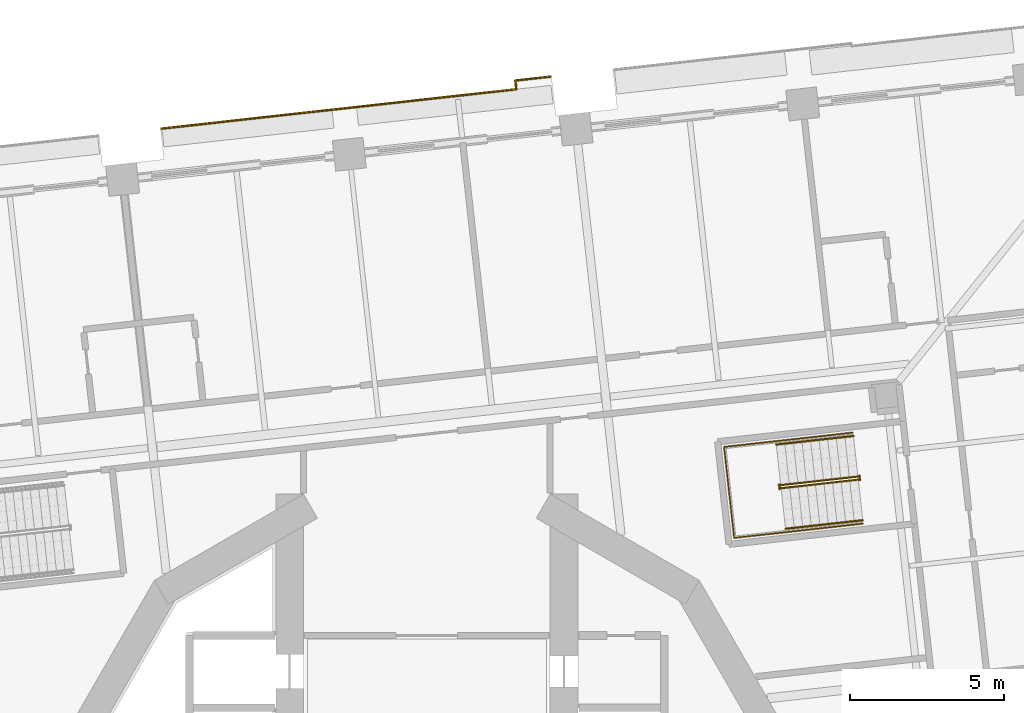
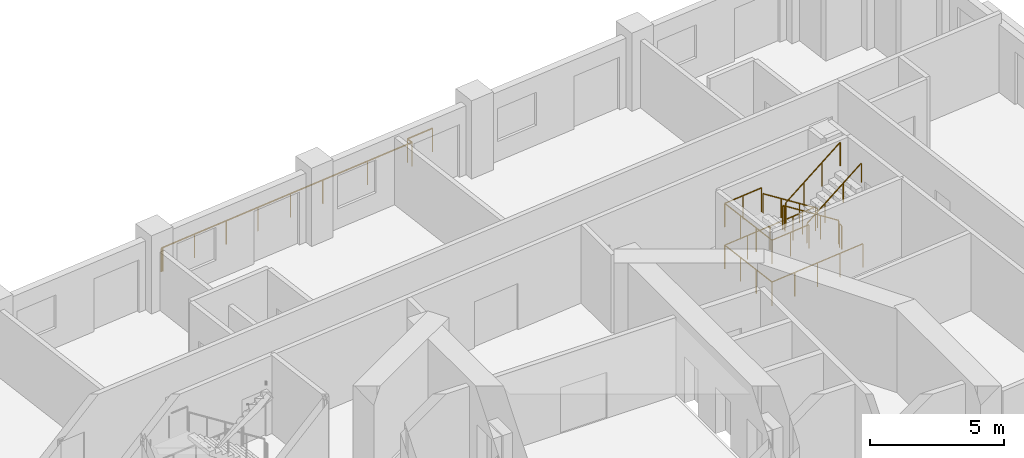
# One storey, part 19 of 21: 8 railings.
"""IFC4 building model written with IfcOpenShell, lengths in metres."""

from ifc_helpers import new_model, si_unit, direction, frame, origin, origin_2d, place, context, subcontext, project, spatial, circle, extrude, material, type_object, element, save


model = new_model("IFC4")

# Units and contexts
model_context = context("Model", 3, precision=1e-05, world=origin(), true_north=direction((0.0, 1.0)))
body_context = subcontext(model_context, "Body", "Model", "MODEL_VIEW")
ifc_project = project(units=[si_unit("LENGTHUNIT", "METRE"), si_unit("AREAUNIT", "SQUARE_METRE"), si_unit("VOLUMEUNIT", "CUBIC_METRE"), si_unit("PLANEANGLEUNIT", "RADIAN"), si_unit("MASSUNIT", "GRAM", prefix="KILO")], contexts=[model_context])

# Site, building, storey
site_placement = place(None, origin())
site = spatial("IfcSite", under=ifc_project, at=site_placement, CompositionType="ELEMENT")
building_placement = place(site_placement, origin())
building = spatial("IfcBuilding", under=site, at=building_placement, Name="Cantera Rosa Tower", CompositionType="ELEMENT")
storey_placement = place(building_placement, frame((0.0, 0.0, 69.10009765625)))
storey = spatial("IfcBuildingStorey", under=building, at=storey_placement, Name="L14", CompositionType="ELEMENT", Elevation=69.10009765625)

# Railings
ifc_material_1 = material(Name="Stainless steel and laminated glass", Category="steel")
railing_type_1 = type_object("IfcRailingType", Name="GUARD 1100", PredefinedType="BALUSTRADE", material=ifc_material_1)
railing_1_placement = place(storey_placement, frame((-8.6142578125, 23.4931640625, 0.0)))
element("IfcRailing", 1, at=railing_1_placement, inside=storey, type_object=railing_type_1, Name="GUARD L14-6", PredefinedType="BALUSTRADE", context=body_context, shape_type="SweptSolid", body=[
    extrude(circle(Radius=0.030029296875, at=origin_2d()), frame((0.0, 0.0, 1.070068359375), z_axis=(0.994136314057, 0.108134125389, 0.0), x_axis=(-0.108134125389, 0.994136314057, 0.0)), (0.0, 0.0, 1.0), 0.070068359375),
    extrude(circle(Radius=0.030029296875, at=origin_2d()), frame((0.069580078125, 0.007568359375, 1.070068359375), z_axis=(0.993891851654, 0.110358448777, 0.0), x_axis=(-0.110358448777, 0.993891851654, 0.0)), (0.0, 0.0, 1.0), 4.400146484375),
    extrude(circle(Radius=0.030029296875, at=origin_2d()), frame((4.44287109375, 0.4931640625, 1.070068359375), z_axis=(0.993901585709, 0.110270748271, 0.0), x_axis=(-0.110270748271, 0.993901585709, 0.0)), (0.0, 0.0, 1.0), 3.0),
    extrude(circle(Radius=0.030029296875, at=origin_2d()), frame((7.424560546875, 0.823974609375, 1.070068359375), z_axis=(0.993898197765, 0.110301280499, 0.0), x_axis=(-0.110301280499, 0.993898197765, 0.0)), (0.0, 0.0, 1.0), 4.11474609375),
    extrude(circle(Radius=0.030029296875, at=origin_2d()), frame((11.51416015625, 1.27783203125, 1.070068359375), z_axis=(-0.110431526075, 0.993883734674, 0.0), x_axis=(-0.993883734674, -0.110431526075, 0.0)), (0.0, 0.0, 1.0), 0.28515625),
    extrude(circle(Radius=0.030029296875, at=origin_2d()), frame((11.482666015625, 1.561279296875, 1.070068359375), z_axis=(0.993896614033, 0.110315550186, 0.0), x_axis=(-0.110315550186, 0.993896614033, 0.0)), (0.0, 0.0, 1.0), 1.1552734375),
    extrude(circle(Radius=0.02490234375, at=origin_2d()), origin(), (0.0, 0.0, 1.0), 1.0400390625),
    extrude(circle(Radius=0.02490234375, at=origin_2d()), frame((0.069580078125, 0.007568359375, 0.0)), (0.0, 0.0, 1.0), 1.0400390625),
    extrude(circle(Radius=0.02490234375, at=origin_2d()), frame((1.52734375, 0.16943359375, 0.0)), (0.0, 0.0, 1.0), 1.0400390625),
    extrude(circle(Radius=0.02490234375, at=origin_2d()), frame((2.985107421875, 0.331298828125, 0.0)), (0.0, 0.0, 1.0), 1.0400390625),
    extrude(circle(Radius=0.02490234375, at=origin_2d()), frame((4.44287109375, 0.4931640625, 0.0)), (0.0, 0.0, 1.0), 1.0400390625),
    extrude(circle(Radius=0.02490234375, at=origin_2d()), frame((5.93359375, 0.65869140625, 0.0)), (0.0, 0.0, 1.0), 1.0400390625),
    extrude(circle(Radius=0.02490234375, at=origin_2d()), frame((7.424560546875, 0.823974609375, 0.0)), (0.0, 0.0, 1.0), 1.0400390625),
    extrude(circle(Radius=0.02490234375, at=origin_2d()), frame((9.46923828125, 1.05078125, 0.0)), (0.0, 0.0, 1.0), 1.0400390625),
    extrude(circle(Radius=0.02490234375, at=origin_2d()), frame((11.51416015625, 1.27783203125, 0.0)), (0.0, 0.0, 1.0), 1.0400390625),
    extrude(circle(Radius=0.02490234375, at=origin_2d()), frame((11.482666015625, 1.561279296875, 0.0)), (0.0, 0.0, 1.0), 1.0400390625),
    extrude(circle(Radius=0.02490234375, at=origin_2d()), frame((12.630859375, 1.688720703125, 0.0)), (0.0, 0.0, 1.0), 1.0400390625),
])
ifc_material_2 = material(Name="Steel S355J2 (EN 10025-2)", Category="steel")
railing_type_2 = type_object("IfcRailingType", Name="STAIR GUARD 1100", PredefinedType="GUARDRAIL", material=ifc_material_2)
railing_2_placement = place(storey_placement, frame((13.986083984375, 12.203125, 0.18994140625)))
element("IfcRailing", 2, at=railing_2_placement, inside=storey, type_object=railing_type_2, Name="L14 ST-11 stair guard 1", PredefinedType="GUARDRAIL", context=body_context, shape_type="SweptSolid", body=[
    extrude(circle(Radius=0.02392578125, at=origin_2d()), frame((0.0, 0.0, 1.076171875), z_axis=(-0.822431337597, -0.091310000343, 0.561488360321), x_axis=(0.110346460196, -0.993893182753, 0.0)), (0.0, 0.0, 1.0), 3.04541015625),
    extrude(circle(Radius=0.02392578125, at=origin_2d()), frame((-2.504638671875, -0.278076171875, 2.7861328125), z_axis=(-0.931434406233, 0.363909256389, 0.0), x_axis=(-0.363909256389, -0.931434406233, 0.0)), (0.0, 0.0, 1.0), 0.056396484375),
    extrude(circle(Radius=0.02392578125, at=origin_2d()), frame((-2.55712890625, -0.257568359375, 2.7861328125), z_axis=(0.1090029065, -0.994041430915, 0.0), x_axis=(0.994041430915, 0.1090029065, 0.0)), (0.0, 0.0, 1.0), 0.150146484375),
    extrude(circle(Radius=0.02099609375, at=origin_2d()), origin(), (0.0, 0.0, 1.0), 1.052001953125),
    extrude(circle(Radius=0.02099609375, at=origin_2d()), frame((-0.8349609375, -0.0927734375, 0.570068359375)), (0.0, 0.0, 1.0), 1.052001953125),
    extrude(circle(Radius=0.02099609375, at=origin_2d()), frame((-1.669677734375, -0.185302734375, 1.139892578125)), (0.0, 0.0, 1.0), 1.052001953125),
    extrude(circle(Radius=0.02099609375, at=origin_2d()), frame((-2.504638671875, -0.278076171875, 1.7099609375)), (0.0, 0.0, 1.0), 1.052001953125),
    extrude(circle(Radius=0.02099609375, at=origin_2d()), frame((-2.55712890625, -0.257568359375, 1.7099609375)), (0.0, 0.0, 1.0), 1.052001953125),
    extrude(circle(Radius=0.02099609375, at=origin_2d()), frame((-2.540771484375, -0.40673828125, 1.7099609375)), (0.0, 0.0, 1.0), 1.052001953125),
])
railing_3_placement = place(storey_placement, frame((11.4921875, 11.82763671875, 2.08984375)))
element("IfcRailing", 3, at=railing_3_placement, inside=storey, type_object=railing_type_2, Name="L14 ST-11 stair guard 2", PredefinedType="GUARDRAIL", context=body_context, shape_type="SweptSolid", body=[
    extrude(circle(Radius=0.02392578125, at=origin_2d()), frame((0.0, 0.0, 1.076171875), z_axis=(0.822431337597, 0.091310000343, 0.561488360321), x_axis=(-0.110346460196, 0.993893182753, 0.0)), (0.0, 0.0, 1.0), 3.04541015625),
    extrude(circle(Radius=0.02099609375, at=origin_2d()), origin(), (0.0, 0.0, 1.0), 1.052001953125),
    extrude(circle(Radius=0.02099609375, at=origin_2d()), frame((0.8349609375, 0.0927734375, 0.570068359375)), (0.0, 0.0, 1.0), 1.052001953125),
    extrude(circle(Radius=0.02099609375, at=origin_2d()), frame((1.669677734375, 0.185302734375, 1.139892578125)), (0.0, 0.0, 1.0), 1.052001953125),
    extrude(circle(Radius=0.02099609375, at=origin_2d()), frame((2.504638671875, 0.278076171875, 1.7099609375)), (0.0, 0.0, 1.0), 1.052001953125),
])
railing_4_placement = place(storey_placement, frame((14.032958984375, 12.234375, 0.0)))
element("IfcRailing", 4, at=railing_4_placement, inside=storey, type_object=railing_type_2, Name="L14 ST-11 stair guard 3", PredefinedType="GUARDRAIL", context=body_context, shape_type="SweptSolid", body=[
    extrude(circle(Radius=0.02392578125, at=origin_2d()), frame((0.0, 0.0, 1.076171875), z_axis=(0.109179471459, -0.994022053584, 0.0), x_axis=(0.994022053584, 0.109179471459, 0.0)), (0.0, 0.0, 1.0), 0.14990234375),
    extrude(circle(Radius=0.02099609375, at=origin_2d()), origin(), (0.0, 0.0, 1.0), 1.052001953125),
    extrude(circle(Radius=0.02099609375, at=origin_2d()), frame((0.016357421875, -0.14892578125, 0.0)), (0.0, 0.0, 1.0), 1.052001953125),
])
railing_5_placement = place(storey_placement, frame((13.815673828125, 13.629150390625, 0.0)))
element("IfcRailing", 5, at=railing_5_placement, inside=storey, type_object=railing_type_2, Name="L14 ST-11 stair guard 4", PredefinedType="GUARDRAIL", context=body_context, shape_type="SweptSolid", body=[
    extrude(circle(Radius=0.02392578125, at=origin_2d()), frame((0.0, 0.0, 1.076171875), z_axis=(-0.9938957856, -0.110323013767, 0.0), x_axis=(0.110323013767, -0.9938957856, 0.0)), (0.0, 0.0, 1.0), 4.197998046875),
    extrude(circle(Radius=0.02392578125, at=origin_2d()), frame((-4.17236328125, -0.463134765625, 1.076171875), z_axis=(0.110314237986, -0.993896759678, 0.0), x_axis=(0.993896759678, 0.110314237986, 0.0)), (0.0, 0.0, 1.0), 2.969970703125),
    extrude(circle(Radius=0.02392578125, at=origin_2d()), frame((-3.8447265625, -3.4150390625, 1.076171875), z_axis=(0.9938957856, 0.110323013767, 0.0), x_axis=(-0.110323013767, 0.9938957856, 0.0)), (0.0, 0.0, 1.0), 4.197998046875),
    extrude(circle(Radius=0.02099609375, at=origin_2d()), origin(), (0.0, 0.0, 1.0), 1.052001953125),
    extrude(circle(Radius=0.02099609375, at=origin_2d()), frame((-1.04296875, -0.11572265625, 0.0)), (0.0, 0.0, 1.0), 1.052001953125),
    extrude(circle(Radius=0.02099609375, at=origin_2d()), frame((-2.086181640625, -0.2314453125, 0.0)), (0.0, 0.0, 1.0), 1.052001953125),
    extrude(circle(Radius=0.02099609375, at=origin_2d()), frame((-3.12939453125, -0.347412109375, 0.0)), (0.0, 0.0, 1.0), 1.052001953125),
    extrude(circle(Radius=0.02099609375, at=origin_2d()), frame((-4.17236328125, -0.463134765625, 0.0)), (0.0, 0.0, 1.0), 1.052001953125),
    extrude(circle(Radius=0.02099609375, at=origin_2d()), frame((-4.063232421875, -1.447021484375, 0.0)), (0.0, 0.0, 1.0), 1.052001953125),
    extrude(circle(Radius=0.02099609375, at=origin_2d()), frame((-3.953857421875, -2.43115234375, 0.0)), (0.0, 0.0, 1.0), 1.052001953125),
    extrude(circle(Radius=0.02099609375, at=origin_2d()), frame((-3.8447265625, -3.4150390625, 0.0)), (0.0, 0.0, 1.0), 1.052001953125),
    extrude(circle(Radius=0.02099609375, at=origin_2d()), frame((-2.8017578125, -3.29931640625, 0.0)), (0.0, 0.0, 1.0), 1.052001953125),
    extrude(circle(Radius=0.02099609375, at=origin_2d()), frame((-1.758544921875, -3.18359375, 0.0)), (0.0, 0.0, 1.0), 1.052001953125),
    extrude(circle(Radius=0.02099609375, at=origin_2d()), frame((-0.71533203125, -3.067626953125, 0.0)), (0.0, 0.0, 1.0), 1.052001953125),
    extrude(circle(Radius=0.02099609375, at=origin_2d()), frame((0.32763671875, -2.951904296875, 0.0)), (0.0, 0.0, 1.0), 1.052001953125),
])
railing_6_placement = place(storey_placement, frame((11.3349609375, 13.353759765625, 1.89990234375)))
element("IfcRailing", 6, at=railing_6_placement, inside=storey, type_object=railing_type_2, Name="L14 ST-11 stair guard 5", PredefinedType="GUARDRAIL", context=body_context, shape_type="SweptSolid", body=[
    extrude(circle(Radius=0.02392578125, at=origin_2d()), frame((0.0, 0.0, 1.076171875), z_axis=(-0.993897720867, -0.110305577623, 0.0), x_axis=(0.110305577623, -0.993897720867, 0.0)), (0.0, 0.0, 1.0), 1.7021484375),
    extrude(circle(Radius=0.02392578125, at=origin_2d()), frame((-1.691650390625, -0.187744140625, 1.076171875), z_axis=(0.110314237986, -0.993896759678, 0.0), x_axis=(0.993896759678, 0.110314237986, 0.0)), (0.0, 0.0, 1.0), 2.969970703125),
    extrude(circle(Radius=0.02392578125, at=origin_2d()), frame((-1.364013671875, -3.1396484375, 1.076171875), z_axis=(0.993897720867, 0.110305577623, 0.0), x_axis=(-0.110305577623, 0.993897720867, 0.0)), (0.0, 0.0, 1.0), 1.7021484375),
    extrude(circle(Radius=0.02099609375, at=origin_2d()), origin(), (0.0, 0.0, 1.0), 1.052001953125),
    extrude(circle(Radius=0.02099609375, at=origin_2d()), frame((-0.845703125, -0.09375, 0.0)), (0.0, 0.0, 1.0), 1.052001953125),
    extrude(circle(Radius=0.02099609375, at=origin_2d()), frame((-1.691650390625, -0.187744140625, 0.0)), (0.0, 0.0, 1.0), 1.052001953125),
    extrude(circle(Radius=0.02099609375, at=origin_2d()), frame((-1.58251953125, -1.171630859375, 0.0)), (0.0, 0.0, 1.0), 1.052001953125),
    extrude(circle(Radius=0.02099609375, at=origin_2d()), frame((-1.47314453125, -2.15576171875, 0.0)), (0.0, 0.0, 1.0), 1.052001953125),
    extrude(circle(Radius=0.02099609375, at=origin_2d()), frame((-1.364013671875, -3.1396484375, 0.0)), (0.0, 0.0, 1.0), 1.052001953125),
    extrude(circle(Radius=0.02099609375, at=origin_2d()), frame((-0.51806640625, -3.0458984375, 0.0)), (0.0, 0.0, 1.0), 1.052001953125),
    extrude(circle(Radius=0.02099609375, at=origin_2d()), frame((0.32763671875, -2.951904296875, 0.0)), (0.0, 0.0, 1.0), 1.052001953125),
])
ifc_material_3 = material(Name="Steel S355J2 (EN 10025-2)", Category="steel")
railing_type_3 = type_object("IfcRailingType", Name="STAIR HANDRAIL 900", PredefinedType="HANDRAIL", material=ifc_material_3)
railing_7_placement = place(storey_placement, frame((13.83984375, 13.52099609375, 0.18994140625)))
element("IfcRailing", 7, at=railing_7_placement, inside=storey, type_object=railing_type_3, Name="L14 ST-11 stair handrail 1", PredefinedType="HANDRAIL", context=body_context, shape_type="SweptSolid", body=[
    extrude(circle(Radius=0.02392578125, at=origin_2d()), frame((0.0, 0.0, 0.8759765625), z_axis=(-0.822437355244, -0.09123050105, 0.561492468674), x_axis=(0.110250758185, -0.993903803353, 0.0)), (0.0, 0.0, 1.0), 3.04541015625),
    extrude(circle(Radius=0.02099609375, at=origin_2d()), origin(), (0.0, 0.0, 1.0), 0.851806640625),
    extrude(circle(Radius=0.02099609375, at=origin_2d()), frame((-0.8349609375, -0.092529296875, 0.570068359375)), (0.0, 0.0, 1.0), 0.851806640625),
    extrude(circle(Radius=0.02099609375, at=origin_2d()), frame((-1.669677734375, -0.185302734375, 1.139892578125)), (0.0, 0.0, 1.0), 0.851806640625),
    extrude(circle(Radius=0.02099609375, at=origin_2d()), frame((-2.504638671875, -0.27783203125, 1.7099609375)), (0.0, 0.0, 1.0), 0.851806640625),
])
railing_8_placement = place(storey_placement, frame((11.638427734375, 10.509765625, 2.08984375)))
element("IfcRailing", 8, at=railing_8_placement, inside=storey, type_object=railing_type_3, Name="L14 ST-11 stair handrail 2", PredefinedType="HANDRAIL", context=body_context, shape_type="SweptSolid", body=[
    extrude(circle(Radius=0.02392578125, at=origin_2d()), frame((0.0, 0.0, 0.8759765625), z_axis=(0.822431337597, 0.091310000343, 0.561488360321), x_axis=(-0.110346460196, 0.993893182753, 0.0)), (0.0, 0.0, 1.0), 3.04541015625),
    extrude(circle(Radius=0.02099609375, at=origin_2d()), origin(), (0.0, 0.0, 1.0), 0.851806640625),
    extrude(circle(Radius=0.02099609375, at=origin_2d()), frame((0.8349609375, 0.0927734375, 0.570068359375)), (0.0, 0.0, 1.0), 0.851806640625),
    extrude(circle(Radius=0.02099609375, at=origin_2d()), frame((1.669677734375, 0.185302734375, 1.139892578125)), (0.0, 0.0, 1.0), 0.851806640625),
    extrude(circle(Radius=0.02099609375, at=origin_2d()), frame((2.504638671875, 0.278076171875, 1.7099609375)), (0.0, 0.0, 1.0), 0.851806640625),
])

save(model, "model.ifc")
